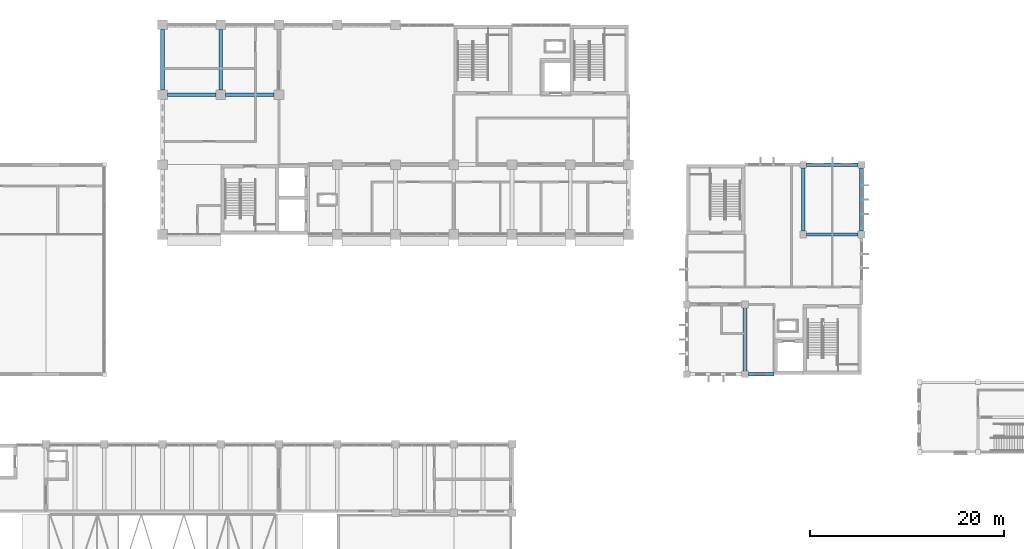
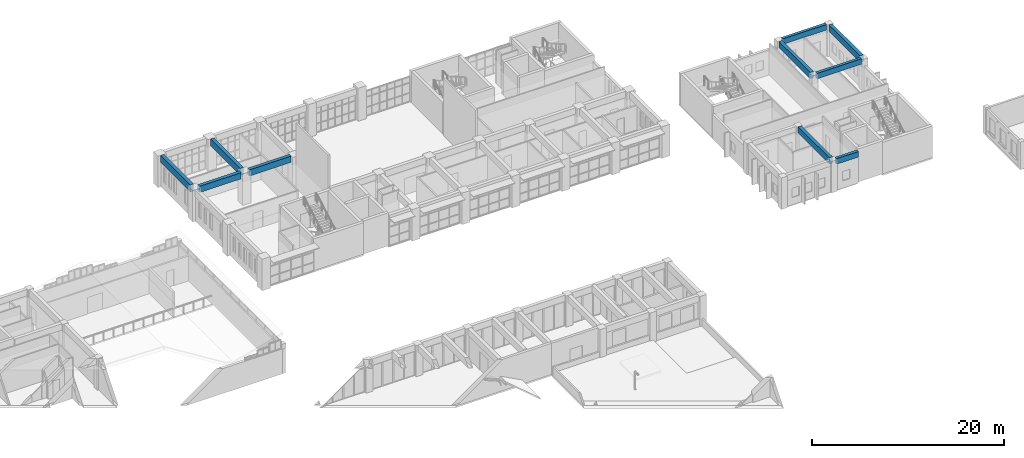
# One storey, part 40 of 92: 10 beams.
"""IFC4 building model written with IfcOpenShell, lengths in metres."""

import ifcopenshell
import ifcopenshell.guid

model = None  # the IFC model being written
_history = None  # IfcOwnerHistory: only IFC2X3 demands one
_inside = {}  # id of a spatial element -> (the spatial element, [elements in it])
_under = {}  # id of a project, library or spatial element -> (it, [spatial elements below it])
_declared = {}  # id of a project -> (the project, [libraries it declares])
_typed = {}  # id of a type object -> (the type object, [elements of that type])
_made_of = {}  # id of a material, layer set ... -> (it, [elements and type objects made of it])


def new_model(schema):
    """Start an empty IFC model of exactly this schema.

    Asked for "IFC4X3", IfcOpenShell would pick the latest addendum, in which some entities
    have other attributes; the version numbers below select the first issue.
    IFC2X3 requires an IfcOwnerHistory on every rooted entity: one is made here for all.
    """
    global model, _history
    if schema == "IFC4X3":
        model = ifcopenshell.file(schema_version=(4, 3, 0, 0))
    else:
        model = ifcopenshell.file(schema=schema)
    _inside.clear()
    _under.clear()
    _declared.clear()
    _typed.clear()
    _made_of.clear()
    _history = None
    if model.schema == "IFC2X3":
        org = make("IfcOrganization", Name="unknown")
        user = make(
            "IfcPersonAndOrganization",
            ThePerson=make("IfcPerson", FamilyName="unknown"),
            TheOrganization=org,
        )
        app = make(
            "IfcApplication",
            ApplicationDeveloper=org,
            Version="unknown",
            ApplicationFullName="unknown",
            ApplicationIdentifier="unknown",
        )
        _history = make(
            "IfcOwnerHistory",
            OwningUser=user,
            OwningApplication=app,
            ChangeAction="ADDED",
            CreationDate=0,
        )
    return model


def make(cls, **values):
    """One entity of the class cls with the attributes given. An attribute that is None is left unset."""
    return model.create_entity(
        cls, **{name: value for name, value in values.items() if value is not None}
    )


def rooted(cls, **values):
    """An entity with a GlobalId (a new one), such as an element, a storey or a relation."""
    return make(cls, GlobalId=ifcopenshell.guid.new(), OwnerHistory=_history, **values)


def si_unit(unit_type, name, prefix=None):
    """IfcSIUnit, for example si_unit("LENGTHUNIT", "METRE", prefix="MILLI")."""
    return make("IfcSIUnit", UnitType=unit_type, Prefix=prefix, Name=name)


def assignment(units):
    """IfcUnitAssignment: the units of a project."""
    return None if units is None else make("IfcUnitAssignment", Units=units)


def point(xyz):
    """IfcCartesianPoint."""
    return None if xyz is None else make("IfcCartesianPoint", Coordinates=xyz)


def direction(xyz):
    """IfcDirection."""
    return None if xyz is None else make("IfcDirection", DirectionRatios=xyz)


def frame(location, z_axis=None, x_axis=None):
    """IfcAxis2Placement3D, a coordinate frame: its origin and axes. An axis left out is left unset."""
    return make(
        "IfcAxis2Placement3D",
        Location=point(location),
        Axis=direction(z_axis),
        RefDirection=direction(x_axis),
    )


def frame_2d(location, x_axis=None):
    """IfcAxis2Placement2D, a coordinate frame in the plane: its origin and x axis."""
    return make(
        "IfcAxis2Placement2D", Location=point(location), RefDirection=direction(x_axis)
    )


def origin():
    """The frame at (0, 0, 0) with its axes left unset."""
    return frame((0.0, 0.0, 0.0))


def origin_2d():
    """The frame at (0, 0) in the plane with its x axis left unset."""
    return frame_2d((0.0, 0.0))


def place(relative_to, where):
    """IfcLocalPlacement: puts the frame where relative to a parent placement (None: the world)."""
    return make(
        "IfcLocalPlacement", PlacementRelTo=relative_to, RelativePlacement=where
    )


def context(
    kind, dimensions, precision=None, world=None, true_north=None, identifier=None
):
    """IfcGeometricRepresentationContext, for example the 3D "Model" context."""
    return make(
        "IfcGeometricRepresentationContext",
        ContextIdentifier=identifier,
        ContextType=kind,
        CoordinateSpaceDimension=dimensions,
        Precision=precision,
        WorldCoordinateSystem=world,
        TrueNorth=true_north,
    )


def subcontext(parent, identifier, kind, view, scale=None):
    """IfcGeometricRepresentationSubContext, for example "Body" below "Model"."""
    return make(
        "IfcGeometricRepresentationSubContext",
        ContextIdentifier=identifier,
        ContextType=kind,
        ParentContext=parent,
        TargetScale=scale,
        TargetView=view,
    )


def project(units=None, contexts=None):
    """IfcProject with its units and contexts."""
    return rooted(
        "IfcProject",
        Name="project",
        RepresentationContexts=contexts,
        UnitsInContext=assignment(units),
    )


def spatial(cls, under=None, at=None, **own):
    """A site, building, storey or space (cls), placed at a placement, below another one or the project."""
    s = rooted(cls, ObjectPlacement=at, **own)
    if under is not None:
        _under.setdefault(under.id(), (under, []))[1].append(s)
    return s


def profile(cls, at=None, kind="AREA", **sizes):
    """A parametric profile (cls). Its sizes go by their IFC names, for example OverallWidth=200.0."""
    return make(cls, ProfileType=kind, Position=at, **sizes)


def rectangle(**sizes):
    """IfcRectangleProfileDef."""
    return profile("IfcRectangleProfileDef", **sizes)


def extrude(swept, where, along, depth):
    """IfcExtrudedAreaSolid: the profile swept, set in the frame where, extruded along a direction by depth."""
    return make(
        "IfcExtrudedAreaSolid",
        SweptArea=swept,
        Position=where,
        ExtrudedDirection=direction(along),
        Depth=depth,
    )


def shape(context_of_items, identifier, shape_type, items):
    """IfcShapeRepresentation: the items that make up one representation, for example the "Body"."""
    return make(
        "IfcShapeRepresentation",
        ContextOfItems=context_of_items,
        RepresentationIdentifier=identifier,
        RepresentationType=shape_type,
        Items=items,
    )


def material(Name=None, Category=None):
    """IfcMaterial."""
    return make("IfcMaterial", Name=Name, Category=Category)


def material_profile(
    of_material, cross_section, Name=None, Category=None, Priority=None
):
    """IfcMaterialProfile: a cross section and its material."""
    return make(
        "IfcMaterialProfile",
        Name=Name,
        Material=of_material,
        Profile=cross_section,
        Priority=Priority,
        Category=Category,
    )


def profile_set(profiles, Name=None, composite=None):
    """IfcMaterialProfileSet."""
    return make(
        "IfcMaterialProfileSet",
        Name=Name,
        MaterialProfiles=profiles,
        CompositeProfile=composite,
    )


def made_of(thing, what):
    """Note that an element or type object is made of a material, layer set ...; save() writes the relation."""
    if what is not None:
        _made_of.setdefault(what.id(), (what, []))[1].append(thing)
    return thing


def type_object(cls, material=None, **own):
    """A type object (cls), such as IfcWallType, which elements share."""
    return made_of(rooted(cls, **own), material)


def element(
    cls,
    number,
    at=None,
    inside=None,
    cuts=None,
    type_object=None,
    material=None,
    context=None,
    identifier="Body",
    shape_type=None,
    held_by="IfcProductDefinitionShape",
    body=None,
    shapes=None,
    **own,
):
    """One element of the class cls, such as IfcWall. Its Tag is "e" and its number.

    at: its placement. inside: the storey or other place that contains it. cuts: it is an
    opening in that element (IfcRelVoidsElement). A single representation is given by context,
    identifier, shape_type and body (its items); several are given by shapes. held_by: the class
    of the entity that holds the representations. save() writes the other relations.
    """
    e = rooted(cls, Tag="e%d" % number, ObjectPlacement=at, **own)
    if body is not None:
        shapes = [shape(context, identifier, shape_type, body)]
    if shapes is not None:
        e.Representation = make(held_by, Representations=shapes)
    if inside is not None:
        _inside.setdefault(inside.id(), (inside, []))[1].append(e)
    if cuts is not None:
        rooted(
            "IfcRelVoidsElement", RelatingBuildingElement=cuts, RelatedOpeningElement=e
        )
    if type_object is not None:
        _typed.setdefault(type_object.id(), (type_object, []))[1].append(e)
    return made_of(e, material)


def aggregate(whole, parts):
    """IfcRelAggregates: a whole, such as a stair, and the parts it consists of."""
    return rooted("IfcRelAggregates", RelatingObject=whole, RelatedObjects=parts)


def save(model, path):
    """Write the relations noted so far, then the file.

    IfcRelAggregates (storeys below a building ...), IfcRelContainedInSpatialStructure (elements
    in a storey), IfcRelDefinesByType, IfcRelAssociatesMaterial and IfcRelDeclares: one each for
    every whole, place, type object, material and project.
    """
    for whole, parts in _under.values():
        aggregate(whole, parts)
    for where, things in _inside.values():
        rooted(
            "IfcRelContainedInSpatialStructure",
            RelatedElements=things,
            RelatingStructure=where,
        )
    for kind, things in _typed.values():
        rooted("IfcRelDefinesByType", RelatedObjects=things, RelatingType=kind)
    for what, things in _made_of.values():
        rooted("IfcRelAssociatesMaterial", RelatedObjects=things, RelatingMaterial=what)
    for by, libraries in _declared.values():
        rooted("IfcRelDeclares", RelatingContext=by, RelatedDefinitions=libraries)
    model.write(path)


model = new_model("IFC4")

# Units and contexts
model_context = context("Model", 3, precision=1e-05, world=origin(), true_north=direction((0.0, 1.0)))
body_context = subcontext(model_context, "Body", "Model", "MODEL_VIEW")
ifc_project = project(units=[si_unit("LENGTHUNIT", "METRE"), si_unit("AREAUNIT", "SQUARE_METRE"), si_unit("VOLUMEUNIT", "CUBIC_METRE"), si_unit("PLANEANGLEUNIT", "RADIAN"), si_unit("MASSUNIT", "GRAM", prefix="KILO")], contexts=[model_context])

# Site, building, storey
site_placement = place(None, origin())
site = spatial("IfcSite", under=ifc_project, at=site_placement, CompositionType="ELEMENT")
building_placement = place(site_placement, origin())
building = spatial("IfcBuilding", under=site, at=building_placement, Name="Laocheng Heights Fire and Rescue Headquarters", CompositionType="ELEMENT")
storey_placement = place(building_placement, frame((0.0, 0.0, 12.60009765625)))
storey = spatial("IfcBuildingStorey", under=building, at=storey_placement, Name="L03", CompositionType="ELEMENT", Elevation=12.60009765625)

# Beams
ifc_material_1 = material(Name="Concrete C40", Category="concrete")
ifc_material_profile_1 = material_profile(ifc_material_1, rectangle(XDim=0.35009765625, YDim=0.699951171875, at=origin_2d()), Name="RC BEAM 350x700 CREW")
ifc_profile_set_1 = profile_set([ifc_material_profile_1], Name="Concrete C40")
beam_type_1 = type_object("IfcBeamType", Name="RC BEAM 350x700 CREW", PredefinedType="BEAM", material=ifc_profile_set_1)
beam_placement = place(storey_placement, frame((96.35009765625, 36.0, 3.64990234375), z_axis=(1.0, 0.0, 0.0), x_axis=(0.0, 1.0, 0.0)))
element("IfcBeam", 1, at=beam_placement, inside=storey, type_object=beam_type_1, Name="Crew beam L03", PredefinedType="BEAM", context=body_context, shape_type="SweptSolid", body=[
    extrude(rectangle(XDim=0.35009765625, YDim=0.699951171875, at=origin_2d()), origin(), (0.0, 0.0, 1.0), 2.64990234375),
])
for number, where, z_axis, x_axis, name in (
    (2, (102.35009765625, 50.39990234375, 3.64990234375), (1.0, 0.0, 0.0), (0.0, 1.0, 0.0), "Crew beam L03"),
    (3, (102.35009765625, 57.60009765625, 3.64990234375), (1.0, 0.0, 0.0), (0.0, 1.0, 0.0), "Crew beam L03"),
):
    element("IfcBeam", number, at=place(storey_placement, frame(where, z_axis=z_axis, x_axis=x_axis)), inside=storey, type_object=beam_type_1, Name=name, PredefinedType="BEAM", context=body_context, shape_type="SweptSolid", body=[
        extrude(rectangle(XDim=0.35009765625, YDim=0.699951171875, at=origin_2d()), origin(), (0.0, 0.0, 1.0), 5.2998046875),
    ])
ifc_material_2 = material(Name="Concrete C40", Category="concrete")
ifc_material_profile_2 = material_profile(ifc_material_2, rectangle(XDim=0.39990234375, YDim=0.800048828125, at=origin_2d()), Name="RC BEAM 400x800 CREW")
ifc_profile_set_2 = profile_set([ifc_material_profile_2], Name="Concrete C40")
beam_type_2 = type_object("IfcBeamType", Name="RC BEAM 400x800 CREW", PredefinedType="BEAM", material=ifc_profile_set_2)
for number, where, z_axis, x_axis, name in (
    (4, (96.0, 36.35009765625, 3.599853515625), (0.0, 1.0, 0.0), (-1.0, 0.0, 0.0), "Crew beam L03"),
    (5, (102.0, 50.75, 3.599853515625), (0.0, 1.0, 0.0), (-1.0, 0.0, 0.0), "Crew beam L03"),
    (6, (108.0, 50.75, 3.599853515625), (0.0, 1.0, 0.0), (-1.0, 0.0, 0.0), "Crew beam L03"),
):
    element("IfcBeam", number, at=place(storey_placement, frame(where, z_axis=z_axis, x_axis=x_axis)), inside=storey, type_object=beam_type_2, Name=name, PredefinedType="BEAM", context=body_context, shape_type="SweptSolid", body=[
        extrude(rectangle(XDim=0.39990234375, YDim=0.800048828125, at=origin_2d()), origin(), (0.0, 0.0, 1.0), 6.5),
    ])
ifc_material_3 = material(Name="Concrete C40", Category="concrete")
ifc_material_profile_3 = material_profile(ifc_material_3, rectangle(XDim=0.39990234375, YDim=0.800048828125, at=origin_2d()), Name="RC BEAM 400x800 HQ")
ifc_profile_set_3 = profile_set([ifc_material_profile_3], Name="Concrete C40")
beam_type_3 = type_object("IfcBeamType", Name="RC BEAM 400x800 HQ", PredefinedType="BEAM", material=ifc_profile_set_3)
for number, where, z_axis, x_axis, name in (
    (7, (36.5, 64.800048828125, 3.599853515625), (1.0, 0.0, 0.0), (0.0, 1.0, 0.0), "HQ beam L03"),
    (8, (42.5, 64.800048828125, 3.599853515625), (1.0, 0.0, 0.0), (0.0, 1.0, 0.0), "HQ beam L03"),
):
    element("IfcBeam", number, at=place(storey_placement, frame(where, z_axis=z_axis, x_axis=x_axis)), inside=storey, type_object=beam_type_3, Name=name, PredefinedType="BEAM", context=body_context, shape_type="SweptSolid", body=[
        extrude(rectangle(XDim=0.39990234375, YDim=0.800048828125, at=origin_2d()), origin(), (0.0, 0.0, 1.0), 5.0),
    ])
ifc_material_4 = material(Name="Concrete C40", Category="concrete")
ifc_material_profile_4 = material_profile(ifc_material_4, rectangle(XDim=0.39990234375, YDim=0.89990234375, at=origin_2d()), Name="RC BEAM 400x900 HQ")
ifc_profile_set_4 = profile_set([ifc_material_profile_4], Name="Concrete C40")
beam_type_4 = type_object("IfcBeamType", Name="RC BEAM 400x900 HQ", PredefinedType="BEAM", material=ifc_profile_set_4)
for number, where, z_axis, x_axis, name in (
    (9, (36.0, 65.300048828125, 3.5498046875), (0.0, 1.0, 0.0), (-1.0, 0.0, 0.0), "HQ beam L03"),
    (10, (42.0, 65.300048828125, 3.5498046875), (0.0, 1.0, 0.0), (-1.0, 0.0, 0.0), "HQ beam L03"),
):
    element("IfcBeam", number, at=place(storey_placement, frame(where, z_axis=z_axis, x_axis=x_axis)), inside=storey, type_object=beam_type_4, Name=name, PredefinedType="BEAM", context=body_context, shape_type="SweptSolid", body=[
        extrude(rectangle(XDim=0.39990234375, YDim=0.89990234375, at=origin_2d()), origin(), (0.0, 0.0, 1.0), 6.199951171875),
    ])

save(model, "model.ifc")
